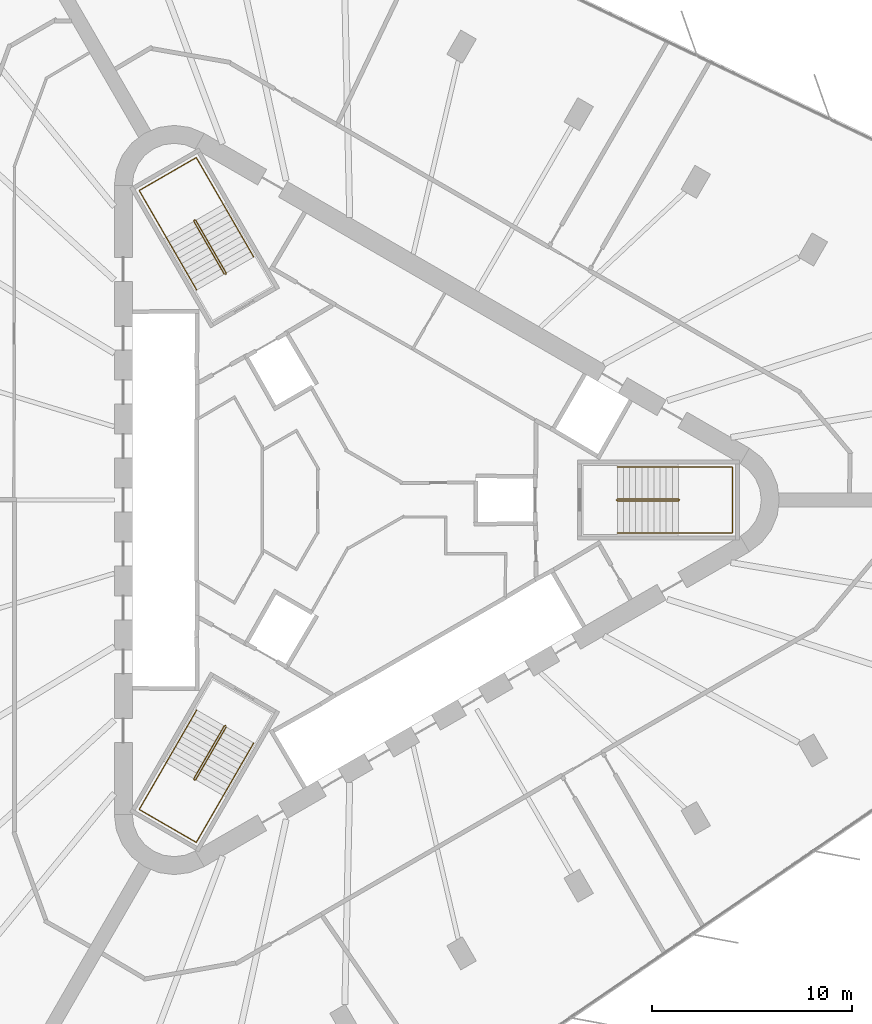
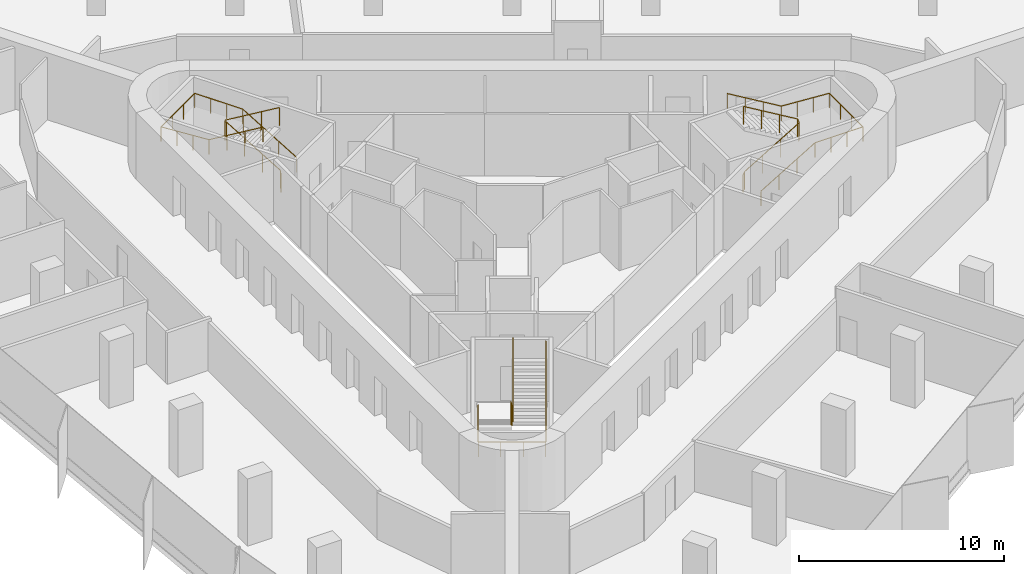
# One storey, part 13 of 13: 6 railings.
"""IFC4 building model written with IfcOpenShell, lengths in metres."""

from ifc_helpers import new_model, si_unit, direction, frame, origin, origin_2d, place, context, subcontext, project, spatial, circle, extrude, material, type_object, element, save


model = new_model("IFC4")

# Units and contexts
model_context = context("Model", 3, precision=1e-05, world=origin(), true_north=direction((0.0, 1.0)))
body_context = subcontext(model_context, "Body", "Model", "MODEL_VIEW")
ifc_project = project(units=[si_unit("LENGTHUNIT", "METRE"), si_unit("AREAUNIT", "SQUARE_METRE"), si_unit("VOLUMEUNIT", "CUBIC_METRE"), si_unit("PLANEANGLEUNIT", "RADIAN"), si_unit("MASSUNIT", "GRAM", prefix="KILO")], contexts=[model_context])

# Site, building, storey
site_placement = place(None, origin())
site = spatial("IfcSite", under=ifc_project, at=site_placement, CompositionType="ELEMENT")
building_placement = place(site_placement, origin())
building = spatial("IfcBuilding", under=site, at=building_placement, Name="Tanit Gate Tower", CompositionType="ELEMENT")
storey_placement = place(building_placement, frame((0.0, 0.0, 197.199951171875)))
storey = spatial("IfcBuildingStorey", under=building, at=storey_placement, Name="L43", CompositionType="ELEMENT", Elevation=197.199951171875)

# Railings
ifc_material_1 = material(Name="Stainless steel balustrade", Category="steel")
railing_type_1 = type_object("IfcRailingType", Name="INT-STAIR-GUARD", PredefinedType="GUARDRAIL", material=ifc_material_1)
railing_1_placement = place(storey_placement, frame((13.044921875, 0.0048828125, 0.0)))
element("IfcRailing", 1, at=railing_1_placement, inside=storey, type_object=railing_type_1, Name="L43 S1 stair guard 1", PredefinedType="GUARDRAIL", context=body_context, shape_type="SweptSolid", body=[
    extrude(circle(Radius=0.02392578125, at=origin_2d()), frame((0.0, 0.0, 1.076171875), z_axis=(0.0, -1.0, 0.0), x_axis=(1.0, 0.0, 0.0)), (0.0, 0.0, 1.0), 0.009765625),
    extrude(circle(Radius=0.02392578125, at=origin_2d()), frame((0.0, -0.009765625, 1.076171875), z_axis=(0.256435381639, -0.256435381639, 0.931923704005), x_axis=(0.707106781187, 0.707106781187, 0.0)), (0.0, 0.0, 1.0), 0.195068359375),
    extrude(circle(Radius=0.02392578125, at=origin_2d()), frame((0.050048828125, -0.059814453125, 1.2578125), z_axis=(0.859041732319, 0.0, 0.511905559781), x_axis=(0.0, 1.0, 0.0)), (0.0, 0.0, 1.0), 3.5517578125),
    extrude(circle(Radius=0.02392578125, at=origin_2d()), frame((3.10107421875, -0.059814453125, 3.076171875), z_axis=(0.707106781187, 0.707106781187, 0.0), x_axis=(-0.707106781187, 0.707106781187, 0.0)), (0.0, 0.0, 1.0), 0.07080078125),
    extrude(circle(Radius=0.02392578125, at=origin_2d()), frame((3.151123046875, -0.009765625, 3.076171875), z_axis=(0.0, 1.0, 0.0), x_axis=(-1.0, 0.0, 0.0)), (0.0, 0.0, 1.0), 0.009765625),
    extrude(circle(Radius=0.02392578125, at=origin_2d()), frame((3.151123046875, 0.0, 3.076171875), z_axis=(-0.256435381639, 0.256435381639, 0.931923704005), x_axis=(-0.707106781187, -0.707106781187, 0.0)), (0.0, 0.0, 1.0), 0.195068359375),
    extrude(circle(Radius=0.02392578125, at=origin_2d()), frame((3.10107421875, 0.050048828125, 3.2578125), z_axis=(-0.859041732319, 0.0, 0.511905559781), x_axis=(0.0, -1.0, 0.0)), (0.0, 0.0, 1.0), 3.5517578125),
    extrude(circle(Radius=0.02099609375, at=origin_2d()), origin(), (0.0, 0.0, 1.0), 1.052001953125),
    extrude(circle(Radius=0.02099609375, at=origin_2d()), frame((0.0, -0.009765625, 0.0)), (0.0, 0.0, 1.0), 1.052001953125),
    extrude(circle(Radius=0.02099609375, at=origin_2d()), frame((0.050048828125, -0.059814453125, 0.181884765625)), (0.0, 0.0, 1.0), 1.052001953125),
    extrude(circle(Radius=0.02099609375, at=origin_2d()), frame((1.067138671875, -0.059814453125, 0.787841796875)), (0.0, 0.0, 1.0), 1.052001953125),
    extrude(circle(Radius=0.02099609375, at=origin_2d()), frame((2.083984375, -0.059814453125, 1.39404296875)), (0.0, 0.0, 1.0), 1.052001953125),
    extrude(circle(Radius=0.02099609375, at=origin_2d()), frame((3.10107421875, -0.059814453125, 2.0)), (0.0, 0.0, 1.0), 1.052001953125),
    extrude(circle(Radius=0.02099609375, at=origin_2d()), frame((3.151123046875, -0.009765625, 2.0)), (0.0, 0.0, 1.0), 1.052001953125),
    extrude(circle(Radius=0.02099609375, at=origin_2d()), frame((3.151123046875, 0.0, 2.0)), (0.0, 0.0, 1.0), 1.052001953125),
    extrude(circle(Radius=0.02099609375, at=origin_2d()), frame((3.10107421875, 0.050048828125, 2.181884765625)), (0.0, 0.0, 1.0), 1.052001953125),
    extrude(circle(Radius=0.02099609375, at=origin_2d()), frame((2.083984375, 0.050048828125, 2.787841796875)), (0.0, 0.0, 1.0), 1.052001953125),
    extrude(circle(Radius=0.02099609375, at=origin_2d()), frame((1.067138671875, 0.050048828125, 3.39404296875)), (0.0, 0.0, 1.0), 1.052001953125),
    extrude(circle(Radius=0.02099609375, at=origin_2d()), frame((0.050048828125, 0.050048828125, 4.0)), (0.0, 0.0, 1.0), 1.052001953125),
])
railing_2_placement = place(storey_placement, frame((-6.527099609375, 11.29345703125, 0.0)))
element("IfcRailing", 2, at=railing_2_placement, inside=storey, type_object=railing_type_1, Name="L43 S2 stair guard 1", PredefinedType="GUARDRAIL", context=body_context, shape_type="SweptSolid", body=[
    extrude(circle(Radius=0.02392578125, at=origin_2d()), frame((0.0, 0.0, 1.076171875), z_axis=(0.868243142124, 0.496138938357, 0.0), x_axis=(-0.496138938357, 0.868243142124, 0.0)), (0.0, 0.0, 1.0), 0.01171875),
    extrude(circle(Radius=0.02392578125, at=origin_2d()), frame((0.01025390625, 0.005859375, 1.076171875), z_axis=(0.093819657636, 0.350260055175, 0.93194193252), x_axis=(-0.965948051503, 0.258736085224, 0.0)), (0.0, 0.0, 1.0), 0.195068359375),
    extrude(circle(Radius=0.02392578125, at=origin_2d()), frame((0.028564453125, 0.07421875, 1.2578125), z_axis=(-0.429472220917, 0.743822504634, 0.512134448226), x_axis=(-0.866012246495, -0.500022788402, 0.0)), (0.0, 0.0, 1.0), 3.550048828125),
    extrude(circle(Radius=0.02392578125, at=origin_2d()), frame((-1.49609375, 2.71484375, 3.076171875), z_axis=(-0.965715946433, 0.259601060869, 0.0), x_axis=(-0.259601060869, -0.965715946433, 0.0)), (0.0, 0.0, 1.0), 0.070556640625),
    extrude(circle(Radius=0.02392578125, at=origin_2d()), frame((-1.564208984375, 2.733154296875, 3.076171875), z_axis=(-0.873197702015, -0.487366159264, 0.0), x_axis=(0.487366159264, -0.873197702015, 0.0)), (0.0, 0.0, 1.0), 0.011962890625),
    extrude(circle(Radius=0.02392578125, at=origin_2d()), frame((-1.57470703125, 2.727294921875, 3.076171875), z_axis=(-0.093819657636, -0.350260055175, 0.93194193252), x_axis=(0.965948051503, -0.258736085224, 0.0)), (0.0, 0.0, 1.0), 0.195068359375),
    extrude(circle(Radius=0.02392578125, at=origin_2d()), frame((-1.593017578125, 2.658935546875, 3.2578125), z_axis=(0.429472220917, -0.743822504634, 0.512134448226), x_axis=(0.866012246495, 0.500022788402, 0.0)), (0.0, 0.0, 1.0), 3.550048828125),
    extrude(circle(Radius=0.02099609375, at=origin_2d()), origin(), (0.0, 0.0, 1.0), 1.052001953125),
    extrude(circle(Radius=0.02099609375, at=origin_2d()), frame((0.01025390625, 0.005859375, 0.0)), (0.0, 0.0, 1.0), 1.052001953125),
    extrude(circle(Radius=0.02099609375, at=origin_2d()), frame((0.028564453125, 0.07421875, 0.181884765625)), (0.0, 0.0, 1.0), 1.052001953125),
    extrude(circle(Radius=0.02099609375, at=origin_2d()), frame((-0.479736328125, 0.954345703125, 0.787841796875)), (0.0, 0.0, 1.0), 1.052001953125),
    extrude(circle(Radius=0.02099609375, at=origin_2d()), frame((-0.98779296875, 1.834716796875, 1.39404296875)), (0.0, 0.0, 1.0), 1.052001953125),
    extrude(circle(Radius=0.02099609375, at=origin_2d()), frame((-1.49609375, 2.71484375, 2.0)), (0.0, 0.0, 1.0), 1.052001953125),
    extrude(circle(Radius=0.02099609375, at=origin_2d()), frame((-1.564208984375, 2.733154296875, 2.0)), (0.0, 0.0, 1.0), 1.052001953125),
    extrude(circle(Radius=0.02099609375, at=origin_2d()), frame((-1.57470703125, 2.727294921875, 2.0)), (0.0, 0.0, 1.0), 1.052001953125),
    extrude(circle(Radius=0.02099609375, at=origin_2d()), frame((-1.593017578125, 2.658935546875, 2.181884765625)), (0.0, 0.0, 1.0), 1.052001953125),
    extrude(circle(Radius=0.02099609375, at=origin_2d()), frame((-1.084716796875, 1.77880859375, 2.787841796875)), (0.0, 0.0, 1.0), 1.052001953125),
    extrude(circle(Radius=0.02099609375, at=origin_2d()), frame((-0.57666015625, 0.8984375, 3.39404296875)), (0.0, 0.0, 1.0), 1.052001953125),
    extrude(circle(Radius=0.02099609375, at=origin_2d()), frame((-0.068359375, 0.018310546875, 4.0)), (0.0, 0.0, 1.0), 1.052001953125),
])
railing_3_placement = place(storey_placement, frame((-6.51806640625, -11.2998046875, 0.0)))
element("IfcRailing", 3, at=railing_3_placement, inside=storey, type_object=railing_type_1, Name="L43 S3 stair guard 1", PredefinedType="GUARDRAIL", context=body_context, shape_type="SweptSolid", body=[
    extrude(circle(Radius=0.02392578125, at=origin_2d()), frame((0.0, 0.0, 1.076171875), z_axis=(-0.874157276122, 0.485642931179, 0.0), x_axis=(-0.485642931179, -0.874157276122, 0.0)), (0.0, 0.0, 1.0), 0.010009765625),
    extrude(circle(Radius=0.02392578125, at=origin_2d()), frame((-0.0087890625, 0.0048828125, 1.076171875), z_axis=(-0.350300895388, -0.092579522353, 0.932050596658), x_axis=(0.255512919477, -0.966805641264, 0.0)), (0.0, 0.0, 1.0), 0.195068359375),
    extrude(circle(Radius=0.02392578125, at=origin_2d()), frame((-0.0771484375, -0.01318359375, 1.2578125), z_axis=(-0.429486674828, -0.743971555965, 0.511905772639), x_axis=(0.866048339477, -0.499960272111, 0.0)), (0.0, 0.0, 1.0), 3.5517578125),
    extrude(circle(Radius=0.02392578125, at=origin_2d()), frame((-1.6025390625, -2.655517578125, 3.076171875), z_axis=(0.258736085224, -0.965948051503, 0.0), x_axis=(0.965948051503, 0.258736085224, 0.0)), (0.0, 0.0, 1.0), 0.07080078125),
    extrude(circle(Radius=0.02392578125, at=origin_2d()), frame((-1.584228515625, -2.723876953125, 3.076171875), z_axis=(0.868243142124, -0.496138938357, 0.0), x_axis=(0.496138938357, 0.868243142124, 0.0)), (0.0, 0.0, 1.0), 0.009765625),
    extrude(circle(Radius=0.02392578125, at=origin_2d()), frame((-1.57568359375, -2.728759765625, 3.076171875), z_axis=(0.350260055175, 0.093819657636, 0.93194193252), x_axis=(-0.258736085224, 0.965948051503, 0.0)), (0.0, 0.0, 1.0), 0.195068359375),
    extrude(circle(Radius=0.02392578125, at=origin_2d()), frame((-1.50732421875, -2.71044921875, 3.2578125), z_axis=(0.429564698942, 0.743918894535, 0.511916836777), x_axis=(-0.865993683553, 0.500054937028, 0.0)), (0.0, 0.0, 1.0), 3.551513671875),
    extrude(circle(Radius=0.02099609375, at=origin_2d()), origin(), (0.0, 0.0, 1.0), 1.052001953125),
    extrude(circle(Radius=0.02099609375, at=origin_2d()), frame((-0.0087890625, 0.0048828125, 0.0)), (0.0, 0.0, 1.0), 1.052001953125),
    extrude(circle(Radius=0.02099609375, at=origin_2d()), frame((-0.0771484375, -0.01318359375, 0.181884765625)), (0.0, 0.0, 1.0), 1.052001953125),
    extrude(circle(Radius=0.02099609375, at=origin_2d()), frame((-0.585693359375, -0.89404296875, 0.787841796875)), (0.0, 0.0, 1.0), 1.052001953125),
    extrude(circle(Radius=0.02099609375, at=origin_2d()), frame((-1.093994140625, -1.774658203125, 1.39404296875)), (0.0, 0.0, 1.0), 1.052001953125),
    extrude(circle(Radius=0.02099609375, at=origin_2d()), frame((-1.6025390625, -2.655517578125, 2.0)), (0.0, 0.0, 1.0), 1.052001953125),
    extrude(circle(Radius=0.02099609375, at=origin_2d()), frame((-1.584228515625, -2.723876953125, 2.0)), (0.0, 0.0, 1.0), 1.052001953125),
    extrude(circle(Radius=0.02099609375, at=origin_2d()), frame((-1.57568359375, -2.728759765625, 2.0)), (0.0, 0.0, 1.0), 1.052001953125),
    extrude(circle(Radius=0.02099609375, at=origin_2d()), frame((-1.50732421875, -2.71044921875, 2.181884765625)), (0.0, 0.0, 1.0), 1.052001953125),
    extrude(circle(Radius=0.02099609375, at=origin_2d()), frame((-0.998779296875, -1.829833984375, 2.787841796875)), (0.0, 0.0, 1.0), 1.052001953125),
    extrude(circle(Radius=0.02099609375, at=origin_2d()), frame((-0.490234375, -0.948974609375, 3.39404296875)), (0.0, 0.0, 1.0), 1.052001953125),
    extrude(circle(Radius=0.02099609375, at=origin_2d()), frame((0.018310546875, -0.068359375, 4.0)), (0.0, 0.0, 1.0), 1.052001953125),
])
ifc_material_2 = material(Name="Stainless steel handrail", Category="steel")
railing_type_2 = type_object("IfcRailingType", Name="INT-STAIR-HANDRAIL", PredefinedType="HANDRAIL", material=ifc_material_2)
railing_4_placement = place(storey_placement, frame((13.094970703125, -1.64990234375, 0.181884765625)))
element("IfcRailing", 4, at=railing_4_placement, inside=storey, type_object=railing_type_2, Name="L43 S1 stair handrail 1", PredefinedType="HANDRAIL", context=body_context, shape_type="SweptSolid", body=[
    extrude(circle(Radius=0.02392578125, at=origin_2d()), frame((0.0, 0.0, 0.8759765625), z_axis=(0.859041732319, 0.0, 0.511905559781), x_axis=(0.0, 1.0, 0.0)), (0.0, 0.0, 1.0), 3.5517578125),
    extrude(circle(Radius=0.02392578125, at=origin_2d()), frame((3.051025390625, 0.0, 2.69384765625), z_axis=(1.0, 0.0, 0.0), x_axis=(0.0, 1.0, 0.0)), (0.0, 0.0, 1.0), 2.7041015625),
    extrude(circle(Radius=0.02392578125, at=origin_2d()), frame((5.755126953125, 0.0, 2.69384765625), z_axis=(0.0, 1.0, 0.0), x_axis=(-1.0, 0.0, 0.0)), (0.0, 0.0, 1.0), 3.2998046875),
    extrude(circle(Radius=0.02392578125, at=origin_2d()), frame((5.755126953125, 3.2998046875, 2.69384765625), z_axis=(-0.997745521698, 0.0, 0.067110907698), x_axis=(0.0, -1.0, 0.0)), (0.0, 0.0, 1.0), 2.710205078125),
    extrude(circle(Radius=0.02392578125, at=origin_2d()), frame((3.051025390625, 3.2998046875, 2.8759765625), z_axis=(-0.859041732319, 0.0, 0.511905559781), x_axis=(0.0, -1.0, 0.0)), (0.0, 0.0, 1.0), 3.5517578125),
    extrude(circle(Radius=0.02099609375, at=origin_2d()), origin(), (0.0, 0.0, 1.0), 0.851806640625),
    extrude(circle(Radius=0.02099609375, at=origin_2d()), frame((1.01708984375, 0.0, 0.60595703125)), (0.0, 0.0, 1.0), 0.851806640625),
    extrude(circle(Radius=0.02099609375, at=origin_2d()), frame((2.033935546875, 0.0, 1.212158203125)), (0.0, 0.0, 1.0), 0.851806640625),
    extrude(circle(Radius=0.02099609375, at=origin_2d()), frame((3.051025390625, 0.0, 1.818115234375)), (0.0, 0.0, 1.0), 0.851806640625),
    extrude(circle(Radius=0.02099609375, at=origin_2d()), frame((3.952392578125, 0.0, 1.818115234375)), (0.0, 0.0, 1.0), 0.851806640625),
    extrude(circle(Radius=0.02099609375, at=origin_2d()), frame((4.853759765625, 0.0, 1.818115234375)), (0.0, 0.0, 1.0), 0.851806640625),
    extrude(circle(Radius=0.02099609375, at=origin_2d()), frame((5.755126953125, 0.0, 1.818115234375)), (0.0, 0.0, 1.0), 0.851806640625),
    extrude(circle(Radius=0.02099609375, at=origin_2d()), frame((5.755126953125, 1.099853515625, 1.818115234375)), (0.0, 0.0, 1.0), 0.851806640625),
    extrude(circle(Radius=0.02099609375, at=origin_2d()), frame((5.755126953125, 2.199951171875, 1.818115234375)), (0.0, 0.0, 1.0), 0.851806640625),
    extrude(circle(Radius=0.02099609375, at=origin_2d()), frame((5.755126953125, 3.2998046875, 1.818115234375)), (0.0, 0.0, 1.0), 0.851806640625),
    extrude(circle(Radius=0.02099609375, at=origin_2d()), frame((4.853759765625, 3.2998046875, 1.878662109375)), (0.0, 0.0, 1.0), 0.851806640625),
    extrude(circle(Radius=0.02099609375, at=origin_2d()), frame((3.952392578125, 3.2998046875, 1.939453125)), (0.0, 0.0, 1.0), 0.851806640625),
    extrude(circle(Radius=0.02099609375, at=origin_2d()), frame((3.051025390625, 3.2998046875, 2.0)), (0.0, 0.0, 1.0), 0.851806640625),
    extrude(circle(Radius=0.02099609375, at=origin_2d()), frame((2.033935546875, 3.2998046875, 2.60595703125)), (0.0, 0.0, 1.0), 0.851806640625),
    extrude(circle(Radius=0.02099609375, at=origin_2d()), frame((1.01708984375, 3.2998046875, 3.212158203125)), (0.0, 0.0, 1.0), 0.851806640625),
    extrude(circle(Radius=0.02099609375, at=origin_2d()), frame((0.0, 3.2998046875, 3.818115234375)), (0.0, 0.0, 1.0), 0.851806640625),
])
railing_5_placement = place(storey_placement, frame((-5.1181640625, 12.164794921875, 0.181884765625)))
element("IfcRailing", 5, at=railing_5_placement, inside=storey, type_object=railing_type_2, Name="L43 S2 stair handrail 1", PredefinedType="HANDRAIL", context=body_context, shape_type="SweptSolid", body=[
    extrude(circle(Radius=0.02392578125, at=origin_2d()), frame((0.0, 0.0, 0.8759765625), z_axis=(-0.429416132344, 0.743844472684, 0.512149573602), x_axis=(-0.866046917185, -0.499962735845, 0.0)), (0.0, 0.0, 1.0), 3.550048828125),
    extrude(circle(Radius=0.02392578125, at=origin_2d()), frame((-1.5244140625, 2.640625, 2.69384765625), z_axis=(-0.500019123664, 0.86601436245, 0.0), x_axis=(-0.86601436245, -0.500019123664, 0.0)), (0.0, 0.0, 1.0), 2.70703125),
    extrude(circle(Radius=0.02392578125, at=origin_2d()), frame((-2.8779296875, 4.98486328125, 2.69384765625), z_axis=(-0.866008176907, -0.50002983664, 0.0), x_axis=(0.50002983664, -0.866008176907, 0.0)), (0.0, 0.0, 1.0), 3.300048828125),
    extrude(circle(Radius=0.02392578125, at=origin_2d()), frame((-5.73583984375, 3.334716796875, 2.69384765625), z_axis=(0.498932980467, -0.864043208057, 0.067046369128), x_axis=(0.865991810323, 0.500058181068, 0.0)), (0.0, 0.0, 1.0), 2.712890625),
    extrude(circle(Radius=0.02392578125, at=origin_2d()), frame((-4.38232421875, 0.99072265625, 2.8759765625), z_axis=(0.429450252752, -0.743853224023, 0.512108251761), x_axis=(0.866032263162, 0.499988119021, 0.0)), (0.0, 0.0, 1.0), 3.55029296875),
    extrude(circle(Radius=0.02099609375, at=origin_2d()), origin(), (0.0, 0.0, 1.0), 0.851806640625),
    extrude(circle(Radius=0.02099609375, at=origin_2d()), frame((-0.508056640625, 0.880126953125, 0.60595703125)), (0.0, 0.0, 1.0), 0.851806640625),
    extrude(circle(Radius=0.02099609375, at=origin_2d()), frame((-1.016357421875, 1.760498046875, 1.212158203125)), (0.0, 0.0, 1.0), 0.851806640625),
    extrude(circle(Radius=0.02099609375, at=origin_2d()), frame((-1.5244140625, 2.640625, 1.818115234375)), (0.0, 0.0, 1.0), 0.851806640625),
    extrude(circle(Radius=0.02099609375, at=origin_2d()), frame((-1.9755859375, 3.422119140625, 1.818115234375)), (0.0, 0.0, 1.0), 0.851806640625),
    extrude(circle(Radius=0.02099609375, at=origin_2d()), frame((-2.4267578125, 4.203369140625, 1.818115234375)), (0.0, 0.0, 1.0), 0.851806640625),
    extrude(circle(Radius=0.02099609375, at=origin_2d()), frame((-2.8779296875, 4.98486328125, 1.818115234375)), (0.0, 0.0, 1.0), 0.851806640625),
    extrude(circle(Radius=0.02099609375, at=origin_2d()), frame((-3.83056640625, 4.434814453125, 1.818115234375)), (0.0, 0.0, 1.0), 0.851806640625),
    extrude(circle(Radius=0.02099609375, at=origin_2d()), frame((-4.783203125, 3.884765625, 1.818115234375)), (0.0, 0.0, 1.0), 0.851806640625),
    extrude(circle(Radius=0.02099609375, at=origin_2d()), frame((-5.73583984375, 3.334716796875, 1.818115234375)), (0.0, 0.0, 1.0), 0.851806640625),
    extrude(circle(Radius=0.02099609375, at=origin_2d()), frame((-5.28466796875, 2.553466796875, 1.878662109375)), (0.0, 0.0, 1.0), 0.851806640625),
    extrude(circle(Radius=0.02099609375, at=origin_2d()), frame((-4.83349609375, 1.77197265625, 1.939453125)), (0.0, 0.0, 1.0), 0.851806640625),
    extrude(circle(Radius=0.02099609375, at=origin_2d()), frame((-4.38232421875, 0.99072265625, 2.0)), (0.0, 0.0, 1.0), 0.851806640625),
    extrude(circle(Radius=0.02099609375, at=origin_2d()), frame((-3.8740234375, 0.1103515625, 2.60595703125)), (0.0, 0.0, 1.0), 0.851806640625),
    extrude(circle(Radius=0.02099609375, at=origin_2d()), frame((-3.365966796875, -0.769775390625, 3.212158203125)), (0.0, 0.0, 1.0), 0.851806640625),
    extrude(circle(Radius=0.02099609375, at=origin_2d()), frame((-2.857666015625, -1.650146484375, 3.818115234375)), (0.0, 0.0, 1.0), 0.851806640625),
])
railing_6_placement = place(storey_placement, frame((-7.9765625, -10.515625, 0.181884765625)))
element("IfcRailing", 6, at=railing_6_placement, inside=storey, type_object=railing_type_2, Name="L43 S3 stair handrail 1", PredefinedType="HANDRAIL", context=body_context, shape_type="SweptSolid", body=[
    extrude(circle(Radius=0.02392578125, at=origin_2d()), frame((0.0, 0.0, 0.8759765625), z_axis=(-0.429486674828, -0.743971555965, 0.511905772639), x_axis=(0.866048339477, -0.499960272111, 0.0)), (0.0, 0.0, 1.0), 3.5517578125),
    extrude(circle(Radius=0.02392578125, at=origin_2d()), frame((-1.525390625, -2.642333984375, 2.69384765625), z_axis=(-0.50004290449, -0.866000631449, 0.0), x_axis=(0.866000631449, -0.50004290449, 0.0)), (0.0, 0.0, 1.0), 2.703857421875),
    extrude(circle(Radius=0.02392578125, at=origin_2d()), frame((-2.87744140625, -4.98388671875, 2.69384765625), z_axis=(0.866008176907, -0.50002983664, 0.0), x_axis=(0.50002983664, 0.866008176907, 0.0)), (0.0, 0.0, 1.0), 3.300048828125),
    extrude(circle(Radius=0.02392578125, at=origin_2d()), frame((-0.01953125, -6.634033203125, 2.69384765625), z_axis=(0.498876541924, 0.864070745781, 0.067111416348), x_axis=(-0.866023205937, 0.500003806764, 0.0)), (0.0, 0.0, 1.0), 2.710205078125),
    extrude(circle(Radius=0.02392578125, at=origin_2d()), frame((1.33251953125, -4.292236328125, 2.8759765625), z_axis=(0.429486674828, 0.743971555965, 0.511905772639), x_axis=(-0.866048339477, 0.499960272111, 0.0)), (0.0, 0.0, 1.0), 3.5517578125),
    extrude(circle(Radius=0.02099609375, at=origin_2d()), origin(), (0.0, 0.0, 1.0), 0.851806640625),
    extrude(circle(Radius=0.02099609375, at=origin_2d()), frame((-0.508544921875, -0.880859375, 0.60595703125)), (0.0, 0.0, 1.0), 0.851806640625),
    extrude(circle(Radius=0.02099609375, at=origin_2d()), frame((-1.016845703125, -1.761474609375, 1.212158203125)), (0.0, 0.0, 1.0), 0.851806640625),
    extrude(circle(Radius=0.02099609375, at=origin_2d()), frame((-1.525390625, -2.642333984375, 1.818115234375)), (0.0, 0.0, 1.0), 0.851806640625),
    extrude(circle(Radius=0.02099609375, at=origin_2d()), frame((-1.97607421875, -3.4228515625, 1.818115234375)), (0.0, 0.0, 1.0), 0.851806640625),
    extrude(circle(Radius=0.02099609375, at=origin_2d()), frame((-2.4267578125, -4.203369140625, 1.818115234375)), (0.0, 0.0, 1.0), 0.851806640625),
    extrude(circle(Radius=0.02099609375, at=origin_2d()), frame((-2.87744140625, -4.98388671875, 1.818115234375)), (0.0, 0.0, 1.0), 0.851806640625),
    extrude(circle(Radius=0.02099609375, at=origin_2d()), frame((-1.9248046875, -5.533935546875, 1.818115234375)), (0.0, 0.0, 1.0), 0.851806640625),
    extrude(circle(Radius=0.02099609375, at=origin_2d()), frame((-0.97216796875, -6.083984375, 1.818115234375)), (0.0, 0.0, 1.0), 0.851806640625),
    extrude(circle(Radius=0.02099609375, at=origin_2d()), frame((-0.01953125, -6.634033203125, 1.818115234375)), (0.0, 0.0, 1.0), 0.851806640625),
    extrude(circle(Radius=0.02099609375, at=origin_2d()), frame((0.43115234375, -5.853515625, 1.878662109375)), (0.0, 0.0, 1.0), 0.851806640625),
    extrude(circle(Radius=0.02099609375, at=origin_2d()), frame((0.8818359375, -5.07275390625, 1.939453125)), (0.0, 0.0, 1.0), 0.851806640625),
    extrude(circle(Radius=0.02099609375, at=origin_2d()), frame((1.33251953125, -4.292236328125, 2.0)), (0.0, 0.0, 1.0), 0.851806640625),
    extrude(circle(Radius=0.02099609375, at=origin_2d()), frame((1.841064453125, -3.411376953125, 2.60595703125)), (0.0, 0.0, 1.0), 0.851806640625),
    extrude(circle(Radius=0.02099609375, at=origin_2d()), frame((2.349365234375, -2.53076171875, 3.212158203125)), (0.0, 0.0, 1.0), 0.851806640625),
    extrude(circle(Radius=0.02099609375, at=origin_2d()), frame((2.85791015625, -1.64990234375, 3.818115234375)), (0.0, 0.0, 1.0), 0.851806640625),
])

save(model, "model.ifc")
